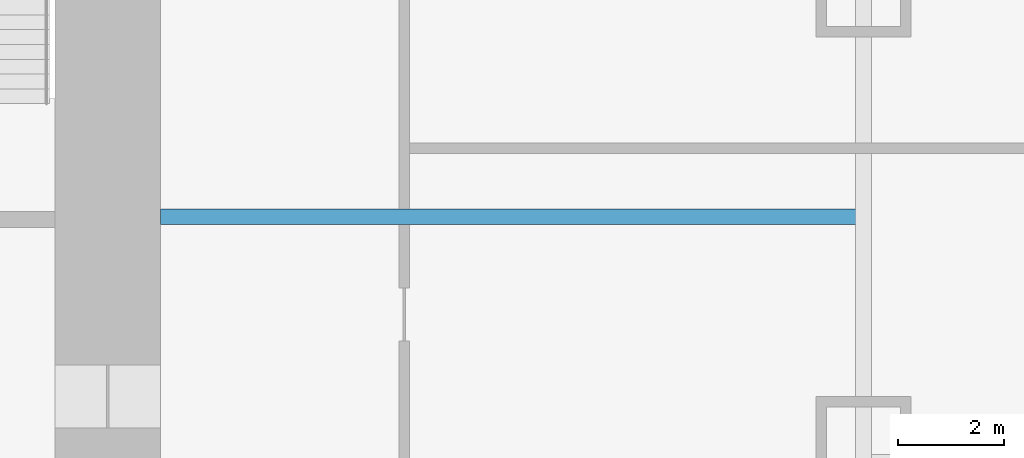
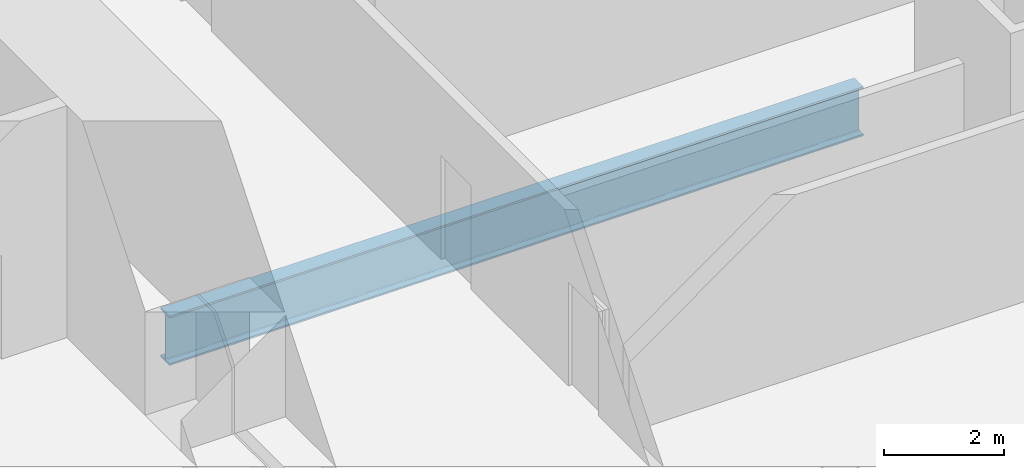
# One storey, part 5 of 24: 1 beam.
"""IFC4 building model written with IfcOpenShell, lengths in metres."""

from ifc_helpers import new_model, si_unit, direction, frame, origin, origin_2d, place, context, subcontext, project, spatial, i_section, extrude, material, material_profile, profile_set, type_object, element, save


model = new_model("IFC4")

# Units and contexts
model_context = context("Model", 3, precision=1e-05, world=origin(), true_north=direction((0.0, 1.0)))
body_context = subcontext(model_context, "Body", "Model", "MODEL_VIEW")
ifc_project = project(units=[si_unit("LENGTHUNIT", "METRE"), si_unit("AREAUNIT", "SQUARE_METRE"), si_unit("VOLUMEUNIT", "CUBIC_METRE"), si_unit("PLANEANGLEUNIT", "RADIAN"), si_unit("MASSUNIT", "GRAM", prefix="KILO")], contexts=[model_context])

# Site, building, storey
site_placement = place(None, origin())
site = spatial("IfcSite", under=ifc_project, at=site_placement, CompositionType="ELEMENT")
building_placement = place(site_placement, origin())
building = spatial("IfcBuilding", under=site, at=building_placement, Name="Khuree Lantern Residences", CompositionType="ELEMENT")
storey_placement = place(building_placement, frame((0.0, 0.0, 6.0)))
storey = spatial("IfcBuildingStorey", under=building, at=storey_placement, Name="L01", CompositionType="ELEMENT", Elevation=6.0)

# Beam
ifc_material = material(Name="Steel S355", Category="steel")
ifc_material_profile = material_profile(ifc_material, i_section(OverallWidth=0.300048828125, OverallDepth=1.0, WebThickness=0.01904296875, FlangeThickness=0.035888671875, FilletRadius=0.030029296875, at=origin_2d()), Name="HE 1000 B")
ifc_profile_set = profile_set([ifc_material_profile], Name="Steel S355")
beam_type = type_object("IfcBeamType", Name="B-01 SECONDARY BEAM HE 1000 B", PredefinedType="BEAM", material=ifc_profile_set)
beam_placement = place(storey_placement, frame((29.800048828125, -5.0, -0.800048828125), z_axis=(-1.0, 0.0, 0.0), x_axis=(0.0, -1.0, 0.0)))
element("IfcBeam", 1, at=beam_placement, inside=storey, type_object=beam_type, Name="Secondary beam E4", PredefinedType="BEAM", context=body_context, shape_type="SweptSolid", body=[
    extrude(i_section(OverallWidth=0.300048828125, OverallDepth=1.0, WebThickness=0.01904296875, FlangeThickness=0.035888671875, FilletRadius=0.030029296875, at=origin_2d()), origin(), (0.0, 0.0, 1.0), 13.300048828125),
])

save(model, "model.ifc")
